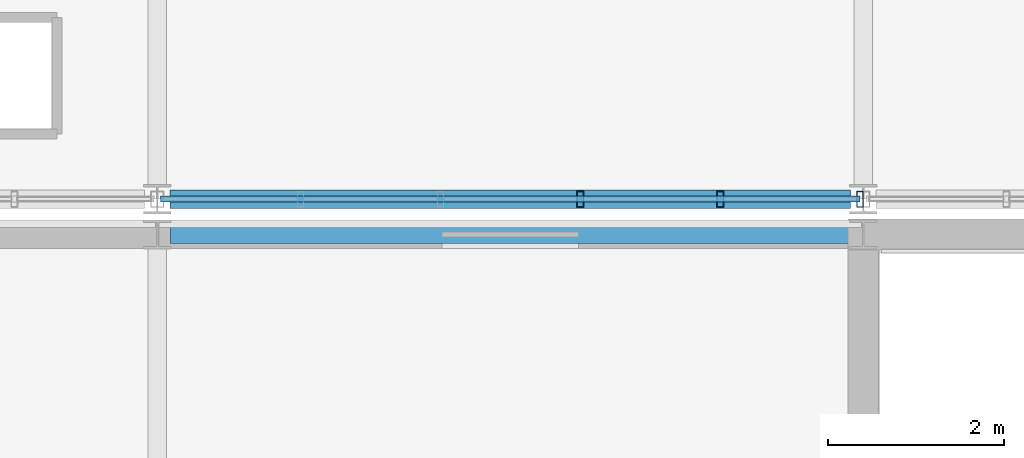
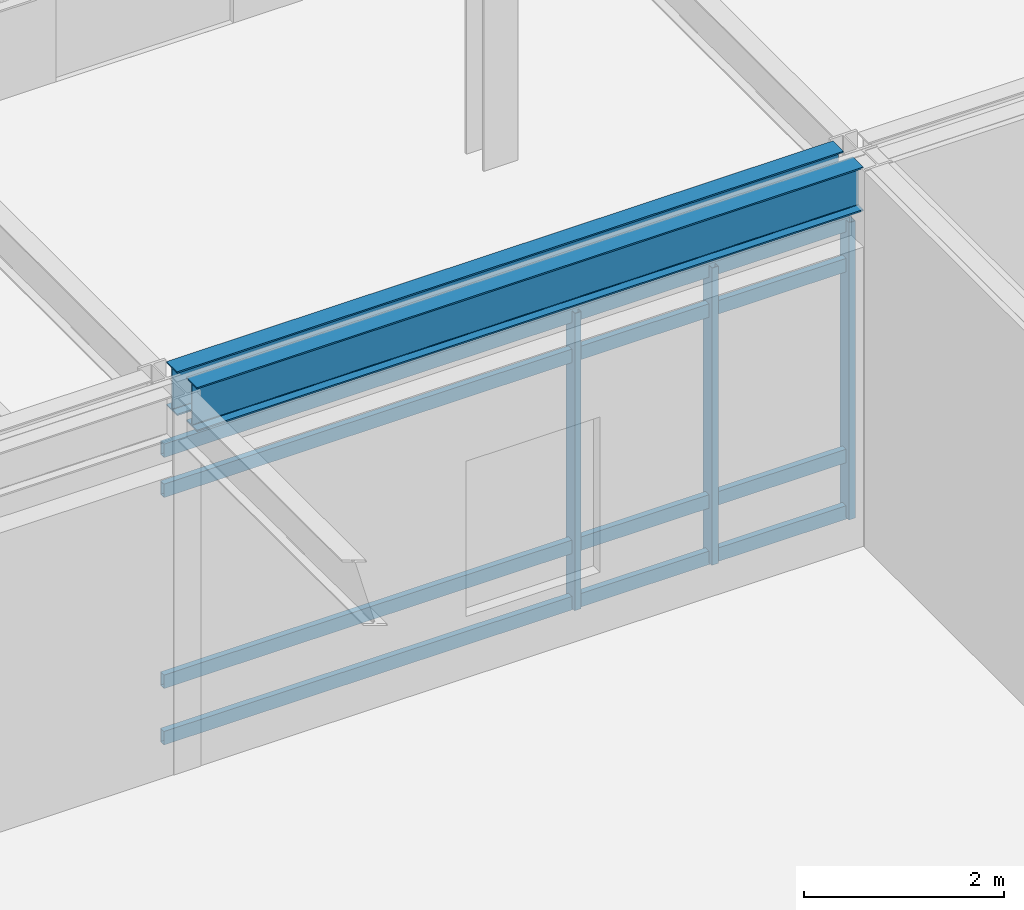
# One storey, part 65 of 104: 7 members, 2 beams, 1 element without a shape of its own.
"""IFC4 building model written with IfcOpenShell, lengths in metres."""

from ifc_helpers import new_model, si_unit, direction, frame, origin, origin_2d, place, context, subcontext, project, spatial, hollow_rectangle, i_section, extrude, material, material_profile, profile_set, type_object, element, aggregate, save


model = new_model("IFC4")

# Units and contexts
model_context = context("Model", 3, precision=1e-05, world=origin(), true_north=direction((0.0, 1.0)))
body_context = subcontext(model_context, "Body", "Model", "MODEL_VIEW")
ifc_project = project(units=[si_unit("LENGTHUNIT", "METRE"), si_unit("AREAUNIT", "SQUARE_METRE"), si_unit("VOLUMEUNIT", "CUBIC_METRE"), si_unit("PLANEANGLEUNIT", "RADIAN"), si_unit("MASSUNIT", "GRAM", prefix="KILO")], contexts=[model_context])

# Site, building, storey
site_placement = place(None, origin())
site = spatial("IfcSite", under=ifc_project, at=site_placement, CompositionType="ELEMENT")
building_placement = place(site_placement, origin())
building = spatial("IfcBuilding", under=site, at=building_placement, Name="Zulena Civic Courthouse", CompositionType="ELEMENT")
storey_placement = place(building_placement, frame((0.0, 0.0, 15.60009765625)))
storey = spatial("IfcBuildingStorey", under=building, at=storey_placement, Name="L03", CompositionType="ELEMENT", Elevation=15.60009765625)

# Curtain wall, members
ifc_material_1 = material(Name="Double-silver low-E laminated solar-control glass", Category="glass")
curtain_wall_type = type_object("IfcCurtainWallType", Name="CW_7928x3635", PredefinedType="USERDEFINED", material=ifc_material_1)
curtain_wall_placement = place(storey_placement, origin())
curtain_wall = element("IfcCurtainWall", 1, at=curtain_wall_placement, inside=storey, type_object=curtain_wall_type, Name="cw:V3:L03:3:1", ObjectType="UNITISED CURTAIN WALL", PredefinedType="USERDEFINED")
ifc_material_2 = material(Name="Bronze anodised thermally broken aluminium AA6063-T6", Category="aluminium")
ifc_material_profile_1 = material_profile(ifc_material_2, hollow_rectangle(XDim=0.074951171875, YDim=0.179931640625, WallThickness=0.0048828125, at=origin_2d()), Name="CWM180X75X5")
ifc_profile_set_1 = profile_set([ifc_material_profile_1], Name="Bronze anodised thermally broken aluminium AA6063-T6")
member_type_1 = type_object("IfcMemberType", Name="CWMullion_180x75", PredefinedType="MULLION", material=ifc_profile_set_1)
member_1_placement = place(storey_placement, frame((163.964111328125, 30.800048828125, 0.0), z_axis=(0.0, 0.0, 1.0), x_axis=(1.0, 0.0, 0.0)))
member_1 = element("IfcMember", 2, at=member_1_placement, type_object=member_type_1, Name="cw:V3:L03:3:1:mull:0", PredefinedType="MULLION", context=body_context, shape_type="SweptSolid", body=[
    extrude(hollow_rectangle(XDim=0.074951171875, YDim=0.179931640625, WallThickness=0.0048828125, at=origin_2d()), origin(), (0.0, 0.0, 1.0), 3.635009765625),
])
member_2_placement = place(storey_placement, frame((162.37841796875, 30.800048828125, 0.0), z_axis=(0.0, 0.0, 1.0), x_axis=(1.0, 0.0, 0.0)))
member_2 = element("IfcMember", 3, at=member_2_placement, type_object=member_type_1, Name="cw:V3:L03:3:1:mull:1", PredefinedType="MULLION", context=body_context, shape_type="SweptSolid", body=[
    extrude(hollow_rectangle(XDim=0.074951171875, YDim=0.179931640625, WallThickness=0.0048828125, at=origin_2d()), origin(), (0.0, 0.0, 1.0), 3.635009765625),
])
member_3_placement = place(storey_placement, frame((160.792724609375, 30.800048828125, 0.0), z_axis=(0.0, 0.0, 1.0), x_axis=(1.0, 0.0, 0.0)))
member_3 = element("IfcMember", 4, at=member_3_placement, type_object=member_type_1, Name="cw:V3:L03:3:1:mull:2", PredefinedType="MULLION", context=body_context, shape_type="SweptSolid", body=[
    extrude(hollow_rectangle(XDim=0.074951171875, YDim=0.179931640625, WallThickness=0.0048828125, at=origin_2d()), origin(), (0.0, 0.0, 1.0), 3.635009765625),
])
ifc_material_profile_2 = material_profile(ifc_material_2, hollow_rectangle(XDim=0.070068359375, YDim=0.1650390625, WallThickness=0.00390625, at=origin_2d()), Name="CWT165X70X4")
ifc_profile_set_2 = profile_set([ifc_material_profile_2], Name="Bronze anodised thermally broken aluminium AA6063-T6")
member_type_2 = type_object("IfcMemberType", Name="CWTransom_165x70", PredefinedType="USERDEFINED", material=ifc_profile_set_2)
member_4_placement = place(storey_placement, frame((163.964111328125, 30.800048828125, 0.059814453125), z_axis=(-1.0, 0.0, 0.0), x_axis=(0.0, -1.0, 0.0)))
member_4 = element("IfcMember", 5, at=member_4_placement, type_object=member_type_2, Name="cw:V3:L03:3:1:tran:0", ObjectType="TRANSOM", PredefinedType="USERDEFINED", context=body_context, shape_type="SweptSolid", body=[
    extrude(hollow_rectangle(XDim=0.070068359375, YDim=0.1650390625, WallThickness=0.00390625, at=origin_2d()), origin(), (0.0, 0.0, 1.0), 7.92822265625),
])
member_5_placement = place(storey_placement, frame((163.964111328125, 30.800048828125, 0.75), z_axis=(-1.0, 0.0, 0.0), x_axis=(0.0, -1.0, 0.0)))
member_5 = element("IfcMember", 6, at=member_5_placement, type_object=member_type_2, Name="cw:V3:L03:3:1:tran:1", ObjectType="TRANSOM", PredefinedType="USERDEFINED", context=body_context, shape_type="SweptSolid", body=[
    extrude(hollow_rectangle(XDim=0.070068359375, YDim=0.1650390625, WallThickness=0.00390625, at=origin_2d()), origin(), (0.0, 0.0, 1.0), 7.92822265625),
])
member_6_placement = place(storey_placement, frame((163.964111328125, 30.800048828125, 3.0849609375), z_axis=(-1.0, 0.0, 0.0), x_axis=(0.0, -1.0, 0.0)))
member_6 = element("IfcMember", 7, at=member_6_placement, type_object=member_type_2, Name="cw:V3:L03:3:1:tran:2", ObjectType="TRANSOM", PredefinedType="USERDEFINED", context=body_context, shape_type="SweptSolid", body=[
    extrude(hollow_rectangle(XDim=0.070068359375, YDim=0.1650390625, WallThickness=0.00390625, at=origin_2d()), origin(), (0.0, 0.0, 1.0), 7.92822265625),
])
member_7_placement = place(storey_placement, frame((163.964111328125, 30.800048828125, 3.574951171875), z_axis=(-1.0, 0.0, 0.0), x_axis=(0.0, -1.0, 0.0)))
member_7 = element("IfcMember", 8, at=member_7_placement, type_object=member_type_2, Name="cw:V3:L03:3:1:tran:3", ObjectType="TRANSOM", PredefinedType="USERDEFINED", context=body_context, shape_type="SweptSolid", body=[
    extrude(hollow_rectangle(XDim=0.070068359375, YDim=0.1650390625, WallThickness=0.00390625, at=origin_2d()), origin(), (0.0, 0.0, 1.0), 7.92822265625),
])
aggregate(curtain_wall, [member_1, member_2, member_3, member_4, member_5, member_6, member_7])

# Beams
ifc_material_3 = material(Name="Steel ASTM A992 Grade 50", Category="steel")
ifc_material_profile_3 = material_profile(ifc_material_3, i_section(OverallWidth=0.2099609375, OverallDepth=0.537109375, WebThickness=0.010986328125, FlangeThickness=0.017333984375, FilletRadius=0.0126953125, at=origin_2d()), Name="W21X68")
ifc_profile_set_3 = profile_set([ifc_material_profile_3], Name="Steel ASTM A992 Grade 50")
beam_type = type_object("IfcBeamType", Name="Spandrel_W21X68", PredefinedType="SPANDREL", material=ifc_profile_set_3)
for number, where, z_axis, x_axis, name in (
    (9, (156.14501953125, 30.39990234375, 4.326416015625), (1.0, 0.0, 0.0), (0.0, 1.0, 0.0), "beam:X:V1:L03:30.4:156.0_164.0"),
    (10, (156.14501953125, 30.800048828125, 4.2763671875), (1.0, 0.0, 0.0), (0.0, 1.0, 0.0), "beam:X:V3:L03:30.8:156.0_164.0"),
):
    element("IfcBeam", number, at=place(storey_placement, frame(where, z_axis=z_axis, x_axis=x_axis)), inside=storey, type_object=beam_type, Name=name, PredefinedType="SPANDREL", context=body_context, shape_type="SweptSolid", body=[
        extrude(i_section(OverallWidth=0.2099609375, OverallDepth=0.537109375, WebThickness=0.010986328125, FlangeThickness=0.017333984375, FilletRadius=0.0126953125, at=origin_2d()), origin(), (0.0, 0.0, 1.0), 7.7099609375),
    ])

save(model, "model.ifc")
